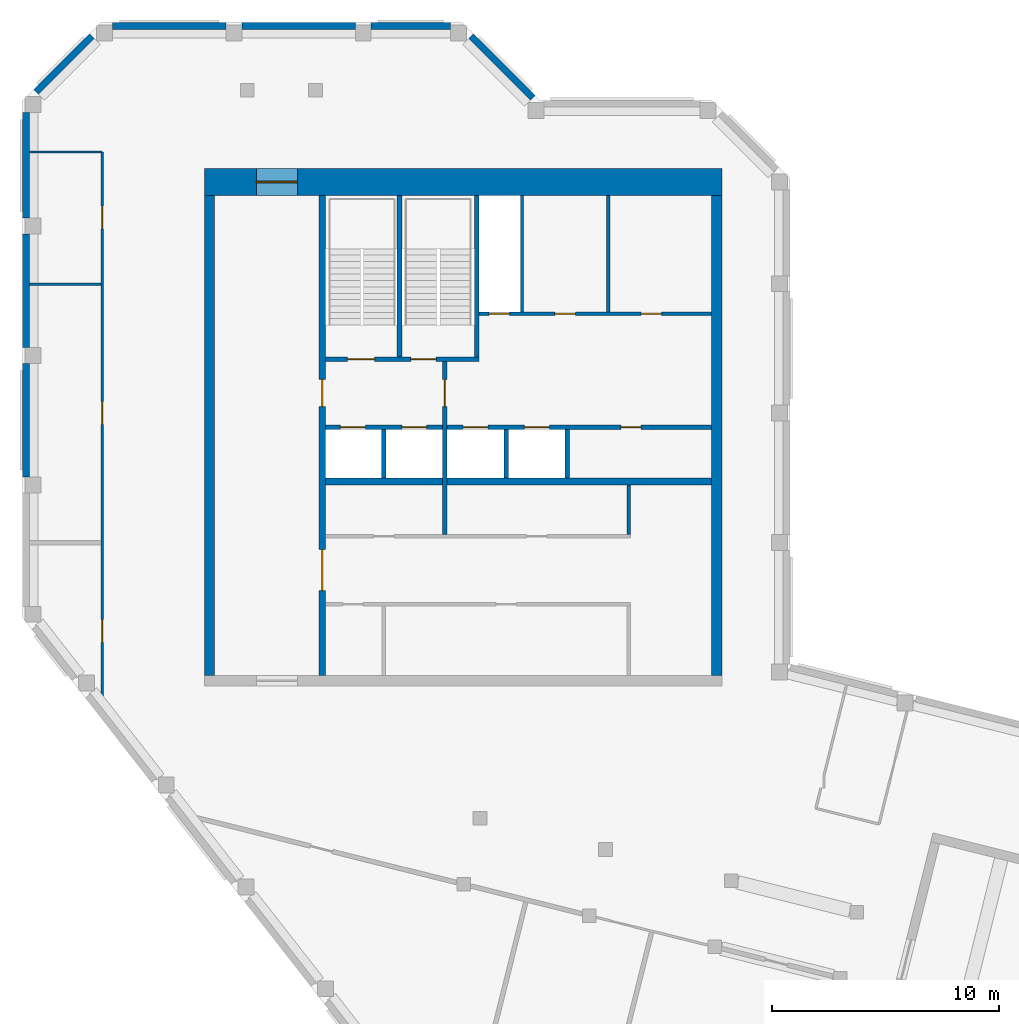
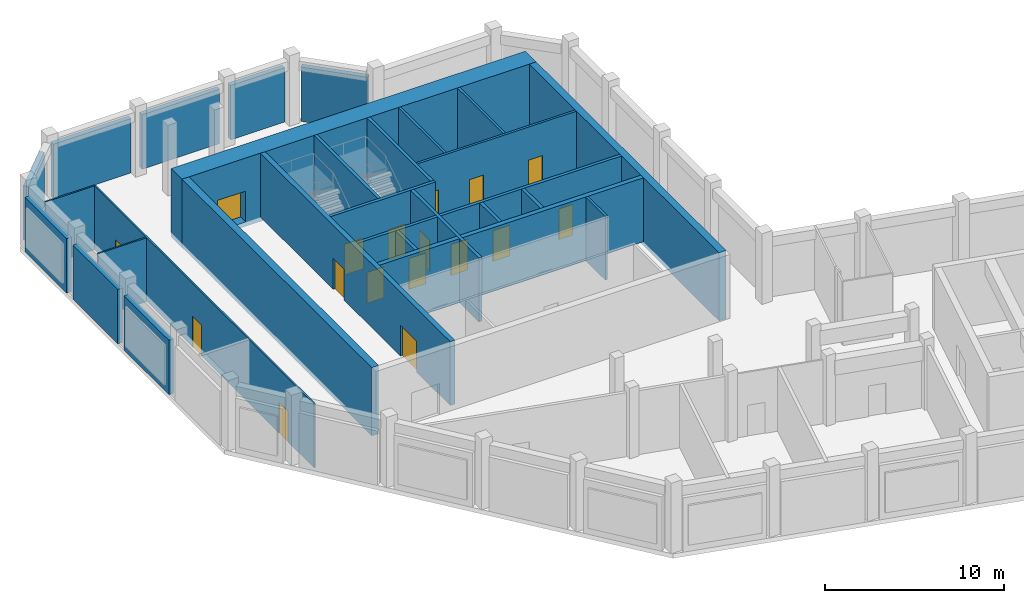
# One storey, part 3 of 5: 28 walls, 17 doors, 17 openings.
"""IFC4 building model written with IfcOpenShell, lengths in metres."""

from ifc_helpers import new_model, si_unit, direction, frame, frame_2d, origin, place, context, subcontext, project, spatial, rectangle, extrude, material, layer, layer_set, type_object, element, fill, save


model = new_model("IFC4")

# Units and contexts
model_context = context("Model", 3, precision=1e-05, world=origin(), true_north=direction((0.0, 1.0)))
body_context = subcontext(model_context, "Body", "Model", "MODEL_VIEW")
ifc_project = project(units=[si_unit("LENGTHUNIT", "METRE"), si_unit("AREAUNIT", "SQUARE_METRE"), si_unit("VOLUMEUNIT", "CUBIC_METRE"), si_unit("PLANEANGLEUNIT", "RADIAN"), si_unit("MASSUNIT", "GRAM", prefix="KILO")], contexts=[model_context])

# Site, building, storey
site_placement = place(None, origin())
site = spatial("IfcSite", under=ifc_project, at=site_placement, CompositionType="ELEMENT")
building_placement = place(site_placement, origin())
building = spatial("IfcBuilding", under=site, at=building_placement, Name="Meshkara Civic Tower", CompositionType="ELEMENT")
storey_placement = place(building_placement, frame((0.0, 0.0, 414.60009765625)))
storey = spatial("IfcBuildingStorey", under=building, at=storey_placement, Name="L95 Crown", CompositionType="ELEMENT", Elevation=414.60009765625)

# Walls
ifc_material_1 = material(Name="Insulated infill panel with bronze anodised aluminium cladding", Category="aluminium")
ifc_layer_1 = layer(ifc_material_1, 0.300048828125)
ifc_layer_set_1 = layer_set([ifc_layer_1], Name="CROWN WALL 300")
wall_type_1 = type_object("IfcWallType", Name="CROWN WALL 300", PredefinedType="SOLIDWALL", material=ifc_layer_set_1)
wall_1_placement = place(storey_placement, frame((22.47607421875, 40.011962890625, 0.0), z_axis=(0.0, 0.0, 1.0), x_axis=(-0.707106781187, 0.707106781187, 0.0)))
element("IfcWall", 1, at=wall_1_placement, inside=storey, type_object=wall_type_1, Name="Crown external wall", PredefinedType="SOLIDWALL", context=body_context, shape_type="SweptSolid", body=[
    extrude(rectangle(XDim=3.8466796875, YDim=0.300048828125, at=frame_2d((1.92333984375, 0.0))), origin(), (0.0, 0.0, 1.0), 3.699951171875),
])
wall_2_placement = place(storey_placement, frame((18.843994140625, 43.169921875, 0.0), z_axis=(0.0, 0.0, 1.0), x_axis=(-1.0, 0.0, 0.0)))
element("IfcWall", 2, at=wall_2_placement, inside=storey, type_object=wall_type_1, Name="Crown external wall", PredefinedType="SOLIDWALL", context=body_context, shape_type="SweptSolid", body=[
    extrude(rectangle(XDim=3.488037109375, YDim=0.300048828125, at=frame_2d((1.744140625, 0.0))), origin(), (0.0, 0.0, 1.0), 3.699951171875),
])
for number, where, z_axis, x_axis, name in (
    (3, (14.656005859375, 43.169921875, 0.0), (0.0, 0.0, 1.0), (-1.0, 0.0, 0.0), "Crown external wall"),
    (4, (8.9560546875, 43.169921875, 0.0), (0.0, 0.0, 1.0), (-1.0, 0.0, 0.0), "Crown external wall"),
):
    element("IfcWall", number, at=place(storey_placement, frame(where, z_axis=z_axis, x_axis=x_axis)), inside=storey, type_object=wall_type_1, Name=name, PredefinedType="SOLIDWALL", context=body_context, shape_type="SweptSolid", body=[
        extrude(rectangle(XDim=5.0, YDim=0.300048828125, at=frame_2d((2.5, 0.0))), origin(), (0.0, 0.0, 1.0), 3.699951171875),
    ])
wall_3_placement = place(storey_placement, frame((3.0439453125, 42.73193359375, 0.0), z_axis=(0.0, 0.0, 1.0), x_axis=(-0.707106781187, -0.707106781187, 0.0)))
element("IfcWall", 5, at=wall_3_placement, inside=storey, type_object=wall_type_1, Name="Crown external wall", PredefinedType="SOLIDWALL", context=body_context, shape_type="SweptSolid", body=[
    extrude(rectangle(XDim=3.473388671875, YDim=0.300048828125, at=frame_2d((1.73681640625, 0.0))), origin(), (0.0, 0.0, 1.0), 3.699951171875),
])
wall_4_placement = place(storey_placement, frame((0.14990234375, 39.364013671875, 0.0), z_axis=(0.0, 0.0, 1.0), x_axis=(0.0, -1.0, 0.0)))
element("IfcWall", 6, at=wall_4_placement, inside=storey, type_object=wall_type_1, Name="Crown external wall", PredefinedType="SOLIDWALL", context=body_context, shape_type="SweptSolid", body=[
    extrude(rectangle(XDim=4.658935546875, YDim=0.300048828125, at=frame_2d((2.32958984375, 0.0))), origin(), (0.0, 0.0, 1.0), 3.699951171875),
])
for number, where, z_axis, x_axis, name in (
    (7, (0.14990234375, 34.0048828125, 0.0), (0.0, 0.0, 1.0), (0.0, -1.0, 0.0), "Crown external wall"),
    (8, (0.14990234375, 28.304931640625, 0.0), (0.0, 0.0, 1.0), (0.0, -1.0, 0.0), "Crown external wall"),
):
    element("IfcWall", number, at=place(storey_placement, frame(where, z_axis=z_axis, x_axis=x_axis)), inside=storey, type_object=wall_type_1, Name=name, PredefinedType="SOLIDWALL", context=body_context, shape_type="SweptSolid", body=[
        extrude(rectangle(XDim=5.0, YDim=0.300048828125, at=frame_2d((2.5, 0.0))), origin(), (0.0, 0.0, 1.0), 3.699951171875),
    ])

# Wall, openings, doors
ifc_material_2 = material(Name="Blockwork", Category="masonry")
ifc_layer_2 = layer(ifc_material_2, 0.14990234375)
ifc_layer_set_2 = layer_set([ifc_layer_2], Name="Core partition 150")
wall_type_2 = type_object("IfcWallType", Name="Core partition 150", PredefinedType="PARTITIONING", material=ifc_layer_set_2)
wall_5_placement = place(storey_placement, frame((20.10009765625, 30.5, 0.0), z_axis=(0.0, 0.0, 1.0), x_axis=(1.0, 0.0, 0.0)))
wall_5 = element("IfcWall", 9, at=wall_5_placement, inside=storey, type_object=wall_type_2, Name="L95 Crown-C010", PredefinedType="PARTITIONING", context=body_context, shape_type="SweptSolid", body=[
    extrude(rectangle(XDim=10.25, YDim=0.14990234375, at=frame_2d((5.125, 0.0))), origin(), (0.0, 0.0, 1.0), 4.349853515625),
])
opening_1_placement = place(wall_5_placement, frame((0.449951171875, 0.0, 0.0)))
opening_1 = element("IfcOpeningElement", 10, at=opening_1_placement, cuts=wall_5, Name="Opening L95 Crown-K010", PredefinedType="OPENING", context=body_context, shape_type="SweptSolid", body=[
    extrude(rectangle(XDim=0.89990234375, YDim=2.10009765625, at=frame_2d((0.449951171875, 1.050048828125))), frame((0.0, 0.0849609375, 0.0), z_axis=(0.0, -1.0, 0.0), x_axis=(1.0, 0.0, 0.0)), (0.0, 0.0, 1.0), 0.169921875),
])
opening_2_placement = place(wall_5_placement, frame((3.35009765625, 0.0, 0.0)))
opening_2 = element("IfcOpeningElement", 11, at=opening_2_placement, cuts=wall_5, Name="Opening L95 Crown-K011", PredefinedType="OPENING", context=body_context, shape_type="SweptSolid", body=[
    extrude(rectangle(XDim=0.89990234375, YDim=2.10009765625, at=frame_2d((0.449951171875, 1.050048828125))), frame((0.0, 0.0849609375, 0.0), z_axis=(0.0, -1.0, 0.0), x_axis=(1.0, 0.0, 0.0)), (0.0, 0.0, 1.0), 0.169921875),
])
opening_3_placement = place(wall_5_placement, frame((7.14990234375, 0.0, 0.0)))
opening_3 = element("IfcOpeningElement", 12, at=opening_3_placement, cuts=wall_5, Name="Opening L95 Crown-K012", PredefinedType="OPENING", context=body_context, shape_type="SweptSolid", body=[
    extrude(rectangle(XDim=0.89990234375, YDim=2.10009765625, at=frame_2d((0.449951171875, 1.050048828125))), frame((0.0, 0.0849609375, 0.0), z_axis=(0.0, -1.0, 0.0), x_axis=(1.0, 0.0, 0.0)), (0.0, 0.0, 1.0), 0.169921875),
])
ifc_material_3 = material(Name="Timber door leaf in steel frame", Category="steel")
door_type_1 = type_object("IfcDoorType", Name="Core room door 900", OperationType="SINGLE_SWING_LEFT", PredefinedType="DOOR", material=ifc_material_3)
door_1_placement = place(opening_2_placement, origin())
door_1 = element("IfcDoor", 13, at=door_1_placement, inside=storey, type_object=door_type_1, Name="L95 Crown-K011", OperationType="SINGLE_SWING_RIGHT", OverallHeight=2.10009765625, OverallWidth=0.89990234375, PredefinedType="DOOR", context=body_context, shape_type="SweptSolid", body=[
    extrude(rectangle(XDim=0.89990234375, YDim=2.10009765625, at=frame_2d((0.449951171875, 1.050048828125))), frame((0.0, 0.02490234375, 0.0), z_axis=(0.0, -1.0, 0.0), x_axis=(1.0, 0.0, 0.0)), (0.0, 0.0, 1.0), 0.050048828125),
])
fill(opening_2, door_1)
ifc_material_4 = material(Name="Fire-rated door leaf in steel frame", Category="steel")
door_type_2 = type_object("IfcDoorType", Name="Riser door 900", OperationType="SINGLE_SWING_LEFT", PredefinedType="DOOR", material=ifc_material_4)
door_2_placement = place(opening_1_placement, origin())
door_2 = element("IfcDoor", 14, at=door_2_placement, inside=storey, type_object=door_type_2, Name="L95 Crown-K010", OperationType="SINGLE_SWING_RIGHT", OverallHeight=2.10009765625, OverallWidth=0.89990234375, PredefinedType="DOOR", context=body_context, shape_type="SweptSolid", body=[
    extrude(rectangle(XDim=0.89990234375, YDim=2.10009765625, at=frame_2d((0.449951171875, 1.050048828125))), frame((0.0, 0.02490234375, 0.0), z_axis=(0.0, -1.0, 0.0), x_axis=(1.0, 0.0, 0.0)), (0.0, 0.0, 1.0), 0.050048828125),
])
fill(opening_1, door_2)
ifc_material_5 = material(Name="Timber door leaf in steel frame", Category="steel")
door_type_3 = type_object("IfcDoorType", Name="WC door 900", OperationType="SINGLE_SWING_LEFT", PredefinedType="DOOR", material=ifc_material_5)
door_3_placement = place(opening_3_placement, origin())
door_3 = element("IfcDoor", 15, at=door_3_placement, inside=storey, type_object=door_type_3, Name="L95 Crown-K012", OperationType="SINGLE_SWING_LEFT", OverallHeight=2.10009765625, OverallWidth=0.89990234375, PredefinedType="DOOR", context=body_context, shape_type="SweptSolid", body=[
    extrude(rectangle(XDim=0.89990234375, YDim=2.10009765625, at=frame_2d((0.449951171875, 1.050048828125))), frame((0.0, 0.02490234375, 0.0), z_axis=(0.0, -1.0, 0.0), x_axis=(1.0, 0.0, 0.0)), (0.0, 0.0, 1.0), 0.050048828125),
])
fill(opening_3, door_3)

# Walls
for number, where, z_axis, x_axis, name in (
    (16, (22.0, 30.574951171875, 0.0), (0.0, 0.0, 1.0), (0.0, 1.0, 0.0), "L95 Crown-C018"),
    (17, (25.800048828125, 30.574951171875, 0.0), (0.0, 0.0, 1.0), (0.0, 1.0, 0.0), "L95 Crown-C020"),
):
    element("IfcWall", number, at=place(storey_placement, frame(where, z_axis=z_axis, x_axis=x_axis)), inside=storey, type_object=wall_type_2, Name=name, PredefinedType="PARTITIONING", context=body_context, shape_type="SweptSolid", body=[
        extrude(rectangle(XDim=5.125, YDim=0.14990234375, at=frame_2d((2.5625, 0.0))), origin(), (0.0, 0.0, 1.0), 4.349853515625),
    ])
wall_6_placement = place(storey_placement, frame((26.699951171875, 20.77490234375, 0.0), z_axis=(0.0, 0.0, 1.0), x_axis=(0.0, 1.0, 0.0)))
element("IfcWall", 18, at=wall_6_placement, inside=storey, type_object=wall_type_2, Name="L95 Crown-C022", PredefinedType="PARTITIONING", context=body_context, shape_type="SweptSolid", body=[
    extrude(rectangle(XDim=2.175048828125, YDim=0.14990234375, at=frame_2d((1.08740234375, 0.0))), origin(), (0.0, 0.0, 1.0), 4.349853515625),
])

# Wall, opening, door
ifc_material_6 = material(Name="Concrete C50", Category="concrete")
ifc_layer_3 = layer(ifc_material_6, 1.199951171875)
ifc_layer_set_3 = layer_set([ifc_layer_3], Name="Core ring wall 1200 C50")
wall_type_3 = type_object("IfcWallType", Name="Core ring wall 1200 C50", PredefinedType="SHEAR", material=ifc_layer_set_3)
wall_7_placement = place(storey_placement, frame((8.0, 36.300048828125, -0.300048828125), z_axis=(0.0, 0.0, 1.0), x_axis=(1.0, 0.0, 0.0)))
wall_7 = element("IfcWall", 19, at=wall_7_placement, inside=storey, type_object=wall_type_3, Name="L95 Crown-C002", PredefinedType="SHEAR", context=body_context, shape_type="SweptSolid", body=[
    extrude(rectangle(XDim=22.800048828125, YDim=1.199951171875, at=frame_2d((11.39990234375, 0.0))), origin(), (0.0, 0.0, 1.0), 4.64990234375),
])
opening_4_placement = place(wall_7_placement, frame((2.300048828125, 0.0, 0.300048828125)))
opening_4 = element("IfcOpeningElement", 20, at=opening_4_placement, cuts=wall_7, Name="Opening L95 Crown-K018", PredefinedType="OPENING", context=body_context, shape_type="SweptSolid", body=[
    extrude(rectangle(XDim=1.800048828125, YDim=2.10009765625, at=frame_2d((0.89990234375, 1.050048828125))), frame((0.0, 0.60986328125, 0.0), z_axis=(0.0, -1.0, 0.0), x_axis=(1.0, 0.0, 0.0)), (0.0, 0.0, 1.0), 1.219970703125),
])
ifc_material_7 = material(Name="Fire-rated door leaf in steel frame", Category="steel")
door_type_4 = type_object("IfcDoorType", Name="Core double door 1800 EI 60", OperationType="DOUBLE_DOOR_SINGLE_SWING", PredefinedType="DOOR", material=ifc_material_7)
door_4_placement = place(opening_4_placement, origin())
door_4 = element("IfcDoor", 21, at=door_4_placement, inside=storey, type_object=door_type_4, Name="L95 Crown-K018", OperationType="DOUBLE_DOOR_SINGLE_SWING", OverallHeight=2.10009765625, OverallWidth=1.800048828125, PredefinedType="DOOR", context=body_context, shape_type="SweptSolid", body=[
    extrude(rectangle(XDim=1.800048828125, YDim=2.10009765625, at=frame_2d((0.89990234375, 1.050048828125))), frame((0.0, 0.02490234375, 0.0), z_axis=(0.0, -1.0, 0.0), x_axis=(1.0, 0.0, 0.0)), (0.0, 0.0, 1.0), 0.050048828125),
])
fill(opening_4, door_4)

# Walls
ifc_material_8 = material(Name="Concrete C50", Category="concrete")
ifc_layer_4 = layer(ifc_material_8, 0.449951171875)
ifc_layer_set_4 = layer_set([ifc_layer_4], Name="Core ring wall 450 C50")
wall_type_4 = type_object("IfcWallType", Name="Core ring wall 450 C50", PredefinedType="SHEAR", material=ifc_layer_set_4)
for number, where, z_axis, x_axis, name in (
    (22, (8.22509765625, 14.550048828125, -0.300048828125), (0.0, 0.0, 1.0), (0.0, 1.0, 0.0), "L95 Crown-C003"),
    (23, (30.574951171875, 14.550048828125, -0.300048828125), (0.0, 0.0, 1.0), (0.0, 1.0, 0.0), "L95 Crown-C004"),
):
    element("IfcWall", number, at=place(storey_placement, frame(where, z_axis=z_axis, x_axis=x_axis)), inside=storey, type_object=wall_type_4, Name=name, PredefinedType="SHEAR", context=body_context, shape_type="SweptSolid", body=[
        extrude(rectangle(XDim=21.14990234375, YDim=0.449951171875, at=frame_2d((10.574951171875, 0.0))), origin(), (0.0, 0.0, 1.0), 4.64990234375),
    ])
ifc_material_9 = material(Name="Concrete C50", Category="concrete")
ifc_layer_5 = layer(ifc_material_9, 0.300048828125)
ifc_layer_set_5 = layer_set([ifc_layer_5], Name="Core shear wall 300 C50")
wall_type_5 = type_object("IfcWallType", Name="Core shear wall 300 C50", PredefinedType="SHEAR", material=ifc_layer_set_5)
wall_8_placement = place(storey_placement, frame((13.35009765625, 23.10009765625, 0.0), z_axis=(0.0, 0.0, 1.0), x_axis=(1.0, 0.0, 0.0)))
element("IfcWall", 24, at=wall_8_placement, inside=storey, type_object=wall_type_5, Name="L95 Crown-C007", PredefinedType="SHEAR", context=body_context, shape_type="SweptSolid", body=[
    extrude(rectangle(XDim=17.0, YDim=0.300048828125, at=frame_2d((8.5, 0.0))), origin(), (0.0, 0.0, 1.0), 4.349853515625),
])

# Wall, openings, doors
wall_9_placement = place(storey_placement, frame((13.199951171875, 14.550048828125, 0.0), z_axis=(0.0, 0.0, 1.0), x_axis=(0.0, 1.0, 0.0)))
wall_9 = element("IfcWall", 25, at=wall_9_placement, inside=storey, type_object=wall_type_5, Name="L95 Crown-C011", PredefinedType="SHEAR", context=body_context, shape_type="SweptSolid", body=[
    extrude(rectangle(XDim=21.14990234375, YDim=0.300048828125, at=frame_2d((10.574951171875, 0.0))), origin(), (0.0, 0.0, 1.0), 4.349853515625),
])
opening_5_placement = place(wall_9_placement, frame((3.75, 0.0, 0.0)))
opening_5 = element("IfcOpeningElement", 26, at=opening_5_placement, cuts=wall_9, Name="Opening L95 Crown-K015", PredefinedType="OPENING", context=body_context, shape_type="SweptSolid", body=[
    extrude(rectangle(XDim=1.800048828125, YDim=2.10009765625, at=frame_2d((0.89990234375, 1.050048828125))), frame((0.0, 0.159912109375, 0.0), z_axis=(0.0, -1.0, 0.0), x_axis=(1.0, 0.0, 0.0)), (0.0, 0.0, 1.0), 0.320068359375),
])
opening_6_placement = place(wall_9_placement, frame((11.85009765625, 0.0, 0.0)))
opening_6 = element("IfcOpeningElement", 27, at=opening_6_placement, cuts=wall_9, Name="Opening L95 Crown-K016", PredefinedType="OPENING", context=body_context, shape_type="SweptSolid", body=[
    extrude(rectangle(XDim=1.199951171875, YDim=2.10009765625, at=frame_2d((0.60009765625, 1.050048828125))), frame((0.0, 0.159912109375, 0.0), z_axis=(0.0, -1.0, 0.0), x_axis=(1.0, 0.0, 0.0)), (0.0, 0.0, 1.0), 0.320068359375),
])
door_5_placement = place(opening_5_placement, origin())
door_5 = element("IfcDoor", 28, at=door_5_placement, inside=storey, type_object=door_type_4, Name="L95 Crown-K015", OperationType="DOUBLE_DOOR_SINGLE_SWING", OverallHeight=2.10009765625, OverallWidth=1.800048828125, PredefinedType="DOOR", context=body_context, shape_type="SweptSolid", body=[
    extrude(rectangle(XDim=1.800048828125, YDim=2.10009765625, at=frame_2d((0.89990234375, 1.050048828125))), frame((0.0, 0.02490234375, 0.0), z_axis=(0.0, -1.0, 0.0), x_axis=(1.0, 0.0, 0.0)), (0.0, 0.0, 1.0), 0.050048828125),
])
fill(opening_5, door_5)
ifc_material_10 = material(Name="Fire-rated door leaf in steel frame", Category="steel")
door_type_5 = type_object("IfcDoorType", Name="Fire-fighting lobby door 1200 EI 120", OperationType="SINGLE_SWING_LEFT", PredefinedType="DOOR", material=ifc_material_10)
door_6_placement = place(opening_6_placement, origin())
door_6 = element("IfcDoor", 29, at=door_6_placement, inside=storey, type_object=door_type_5, Name="L95 Crown-K016", OperationType="SINGLE_SWING_LEFT", OverallHeight=2.10009765625, OverallWidth=1.199951171875, PredefinedType="DOOR", context=body_context, shape_type="SweptSolid", body=[
    extrude(rectangle(XDim=1.199951171875, YDim=2.10009765625, at=frame_2d((0.60009765625, 1.050048828125))), frame((0.0, 0.02490234375, 0.0), z_axis=(0.0, -1.0, 0.0), x_axis=(1.0, 0.0, 0.0)), (0.0, 0.0, 1.0), 0.050048828125),
])
fill(opening_6, door_6)

# Wall
ifc_material_11 = material(Name="Corridor wall 100")
ifc_layer_6 = layer(ifc_material_11, 0.10009765625)
ifc_layer_set_6 = layer_set([ifc_layer_6], Name="Corridor wall 100")
wall_type_6 = type_object("IfcWallType", Name="Corridor wall 100", PredefinedType="PARTITIONING", material=ifc_layer_set_6)
wall_10_placement = place(storey_placement, frame((0.300048828125, 37.6201171875, 0.0), z_axis=(0.0, 0.0, 1.0), x_axis=(1.0, 0.0, 0.0)))
element("IfcWall", 30, at=wall_10_placement, inside=storey, type_object=wall_type_6, Name="L95 Crown-R001", PredefinedType="PARTITIONING", context=body_context, shape_type="SweptSolid", body=[
    extrude(rectangle(XDim=3.199951171875, YDim=0.10009765625, at=frame_2d((1.60009765625, 0.0))), origin(), (0.0, 0.0, 1.0), 4.349853515625),
])

# Wall, openings, doors
wall_11_placement = place(storey_placement, frame((3.5, 37.6201171875, 0.0), z_axis=(0.0, 0.0, 1.0), x_axis=(0.0, -1.0, 0.0)))
wall_11 = element("IfcWall", 31, at=wall_11_placement, inside=storey, type_object=wall_type_6, Name="L95 Crown-R002", PredefinedType="PARTITIONING", context=body_context, shape_type="SweptSolid", body=[
    extrude(rectangle(XDim=24.51318359375, YDim=0.10009765625, at=frame_2d((12.256591796875, 0.0))), origin(), (0.0, 0.0, 1.0), 4.349853515625),
])
opening_7_placement = place(wall_11_placement, frame((20.60009765625, 0.0, 0.0)))
opening_7 = element("IfcOpeningElement", 32, at=opening_7_placement, cuts=wall_11, Name="Opening L95 Crown-P005", PredefinedType="OPENING", context=body_context, shape_type="SweptSolid", body=[
    extrude(rectangle(XDim=1.0, YDim=2.10009765625, at=frame_2d((0.5, 1.050048828125))), frame((0.0, 0.06005859375, 0.0), z_axis=(0.0, -1.0, 0.0), x_axis=(1.0, 0.0, 0.0)), (0.0, 0.0, 1.0), 0.1201171875),
])
opening_8_placement = place(wall_11_placement, frame((11.0, 0.0, 0.0)))
opening_8 = element("IfcOpeningElement", 33, at=opening_8_placement, cuts=wall_11, Name="Opening L95 Crown-P006", PredefinedType="OPENING", context=body_context, shape_type="SweptSolid", body=[
    extrude(rectangle(XDim=1.0, YDim=2.10009765625, at=frame_2d((0.5, 1.050048828125))), frame((0.0, 0.06005859375, 0.0), z_axis=(0.0, -1.0, 0.0), x_axis=(1.0, 0.0, 0.0)), (0.0, 0.0, 1.0), 0.1201171875),
])
opening_9_placement = place(wall_11_placement, frame((2.3798828125, 0.0, 0.0)))
opening_9 = element("IfcOpeningElement", 34, at=opening_9_placement, cuts=wall_11, Name="Opening L95 Crown-P007", PredefinedType="OPENING", context=body_context, shape_type="SweptSolid", body=[
    extrude(rectangle(XDim=1.0, YDim=2.10009765625, at=frame_2d((0.5, 1.050048828125))), frame((0.0, 0.06005859375, 0.0), z_axis=(0.0, -1.0, 0.0), x_axis=(1.0, 0.0, 0.0)), (0.0, 0.0, 1.0), 0.1201171875),
])
ifc_material_12 = material(Name="Door 1000 x 2100")
door_type_6 = type_object("IfcDoorType", Name="Door 1000 x 2100", OperationType="SINGLE_SWING_LEFT", PredefinedType="DOOR", material=ifc_material_12)
door_7_placement = place(opening_7_placement, origin())
door_7 = element("IfcDoor", 35, at=door_7_placement, inside=storey, type_object=door_type_6, Name="L95 Crown-P005", OperationType="SINGLE_SWING_LEFT", OverallHeight=2.10009765625, OverallWidth=1.0, PredefinedType="DOOR", context=body_context, shape_type="SweptSolid", body=[
    extrude(rectangle(XDim=1.0, YDim=2.10009765625, at=frame_2d((0.5, 1.050048828125))), frame((0.0, 0.02490234375, 0.0), z_axis=(0.0, -1.0, 0.0), x_axis=(1.0, 0.0, 0.0)), (0.0, 0.0, 1.0), 0.050048828125),
])
fill(opening_7, door_7)
door_8_placement = place(opening_8_placement, origin())
door_8 = element("IfcDoor", 36, at=door_8_placement, inside=storey, type_object=door_type_6, Name="L95 Crown-P006", OperationType="SINGLE_SWING_LEFT", OverallHeight=2.10009765625, OverallWidth=1.0, PredefinedType="DOOR", context=body_context, shape_type="SweptSolid", body=[
    extrude(rectangle(XDim=1.0, YDim=2.10009765625, at=frame_2d((0.5, 1.050048828125))), frame((0.0, 0.02490234375, 0.0), z_axis=(0.0, -1.0, 0.0), x_axis=(1.0, 0.0, 0.0)), (0.0, 0.0, 1.0), 0.050048828125),
])
fill(opening_8, door_8)
door_9_placement = place(opening_9_placement, origin())
door_9 = element("IfcDoor", 37, at=door_9_placement, inside=storey, type_object=door_type_6, Name="L95 Crown-P007", OperationType="SINGLE_SWING_LEFT", OverallHeight=2.10009765625, OverallWidth=1.0, PredefinedType="DOOR", context=body_context, shape_type="SweptSolid", body=[
    extrude(rectangle(XDim=1.0, YDim=2.10009765625, at=frame_2d((0.5, 1.050048828125))), frame((0.0, 0.02490234375, 0.0), z_axis=(0.0, -1.0, 0.0), x_axis=(1.0, 0.0, 0.0)), (0.0, 0.0, 1.0), 0.050048828125),
])
fill(opening_9, door_9)

# Wall
ifc_material_13 = material(Name="Partition 100")
ifc_layer_7 = layer(ifc_material_13, 0.10009765625)
ifc_layer_set_7 = layer_set([ifc_layer_7], Name="Partition 100")
wall_type_7 = type_object("IfcWallType", Name="Partition 100", PredefinedType="PARTITIONING", material=ifc_layer_set_7)
wall_12_placement = place(storey_placement, frame((3.449951171875, 31.800048828125, 0.0), z_axis=(0.0, 0.0, 1.0), x_axis=(-1.0, 0.0, 0.0)))
element("IfcWall", 38, at=wall_12_placement, inside=storey, type_object=wall_type_7, Name="L95 Crown-R014", PredefinedType="PARTITIONING", context=body_context, shape_type="SweptSolid", body=[
    extrude(rectangle(XDim=3.14990234375, YDim=0.10009765625, at=frame_2d((1.574951171875, 0.0))), origin(), (0.0, 0.0, 1.0), 4.349853515625),
])

# Wall, openings, doors
ifc_material_14 = material(Name="Concrete C40/50", Category="concrete")
ifc_layer_8 = layer(ifc_material_14, 0.199951171875)
ifc_layer_set_8 = layer_set([ifc_layer_8], Name="Shaft wall 200 C40/50")
wall_type_8 = type_object("IfcWallType", Name="Shaft wall 200 C40/50", PredefinedType="SOLIDWALL", material=ifc_layer_set_8)
wall_13_placement = place(storey_placement, frame((13.35009765625, 25.5, 0.0), z_axis=(0.0, 0.0, 1.0), x_axis=(1.0, 0.0, 0.0)))
wall_13 = element("IfcWall", 39, at=wall_13_placement, inside=storey, type_object=wall_type_8, Name="L95 Crown-C008", PredefinedType="SOLIDWALL", context=body_context, shape_type="SweptSolid", body=[
    extrude(rectangle(XDim=17.0, YDim=0.199951171875, at=frame_2d((8.5, 0.0))), origin(), (0.0, 0.0, 1.0), 4.349853515625),
])
opening_10_placement = place(wall_13_placement, frame((0.64990234375, 0.0, 0.0)))
opening_10 = element("IfcOpeningElement", 40, at=opening_10_placement, cuts=wall_13, Name="Opening L95 Crown-K001", PredefinedType="OPENING", context=body_context, shape_type="SweptSolid", body=[
    extrude(rectangle(XDim=1.10009765625, YDim=2.10009765625, at=frame_2d((0.550048828125, 1.050048828125))), frame((0.0, 0.10986328125, 0.0), z_axis=(0.0, -1.0, 0.0), x_axis=(1.0, 0.0, 0.0)), (0.0, 0.0, 1.0), 0.219970703125),
])
opening_11_placement = place(wall_13_placement, frame((3.35009765625, 0.0, 0.0)))
opening_11 = element("IfcOpeningElement", 41, at=opening_11_placement, cuts=wall_13, Name="Opening L95 Crown-K002", PredefinedType="OPENING", context=body_context, shape_type="SweptSolid", body=[
    extrude(rectangle(XDim=1.10009765625, YDim=2.10009765625, at=frame_2d((0.550048828125, 1.050048828125))), frame((0.0, 0.10986328125, 0.0), z_axis=(0.0, -1.0, 0.0), x_axis=(1.0, 0.0, 0.0)), (0.0, 0.0, 1.0), 0.219970703125),
])
opening_12_placement = place(wall_13_placement, frame((6.050048828125, 0.0, 0.0)))
opening_12 = element("IfcOpeningElement", 42, at=opening_12_placement, cuts=wall_13, Name="Opening L95 Crown-K003", PredefinedType="OPENING", context=body_context, shape_type="SweptSolid", body=[
    extrude(rectangle(XDim=1.10009765625, YDim=2.10009765625, at=frame_2d((0.550048828125, 1.050048828125))), frame((0.0, 0.10986328125, 0.0), z_axis=(0.0, -1.0, 0.0), x_axis=(1.0, 0.0, 0.0)), (0.0, 0.0, 1.0), 0.219970703125),
])
opening_13_placement = place(wall_13_placement, frame((8.75, 0.0, 0.0)))
opening_13 = element("IfcOpeningElement", 43, at=opening_13_placement, cuts=wall_13, Name="Opening L95 Crown-K004", PredefinedType="OPENING", context=body_context, shape_type="SweptSolid", body=[
    extrude(rectangle(XDim=1.10009765625, YDim=2.10009765625, at=frame_2d((0.550048828125, 1.050048828125))), frame((0.0, 0.10986328125, 0.0), z_axis=(0.0, -1.0, 0.0), x_axis=(1.0, 0.0, 0.0)), (0.0, 0.0, 1.0), 0.219970703125),
])
opening_14_placement = place(wall_13_placement, frame((13.0, 0.0, 0.0)))
opening_14 = element("IfcOpeningElement", 44, at=opening_14_placement, cuts=wall_13, Name="Opening L95 Crown-K009", PredefinedType="OPENING", context=body_context, shape_type="SweptSolid", body=[
    extrude(rectangle(XDim=0.89990234375, YDim=2.10009765625, at=frame_2d((0.449951171875, 1.050048828125))), frame((0.0, 0.10986328125, 0.0), z_axis=(0.0, -1.0, 0.0), x_axis=(1.0, 0.0, 0.0)), (0.0, 0.0, 1.0), 0.219970703125),
])
door_10_placement = place(opening_14_placement, origin())
door_10 = element("IfcDoor", 45, at=door_10_placement, inside=storey, type_object=door_type_1, Name="L95 Crown-K009", OperationType="SINGLE_SWING_LEFT", OverallHeight=2.10009765625, OverallWidth=0.89990234375, PredefinedType="DOOR", context=body_context, shape_type="SweptSolid", body=[
    extrude(rectangle(XDim=0.89990234375, YDim=2.10009765625, at=frame_2d((0.449951171875, 1.050048828125))), frame((0.0, 0.02490234375, 0.0), z_axis=(0.0, -1.0, 0.0), x_axis=(1.0, 0.0, 0.0)), (0.0, 0.0, 1.0), 0.050048828125),
])
fill(opening_14, door_10)
ifc_material_15 = material(Name="Stainless steel landing door", Category="steel")
door_type_7 = type_object("IfcDoorType", Name="Lift landing door 1100", OperationType="SLIDING_TO_LEFT", PredefinedType="DOOR", material=ifc_material_15)
door_11_placement = place(opening_10_placement, origin())
door_11 = element("IfcDoor", 46, at=door_11_placement, inside=storey, type_object=door_type_7, Name="L95 Crown-K001", OperationType="SLIDING_TO_LEFT", OverallHeight=2.10009765625, OverallWidth=1.10009765625, PredefinedType="DOOR", context=body_context, shape_type="SweptSolid", body=[
    extrude(rectangle(XDim=1.10009765625, YDim=2.10009765625, at=frame_2d((0.550048828125, 1.050048828125))), frame((0.0, 0.02490234375, 0.0), z_axis=(0.0, -1.0, 0.0), x_axis=(1.0, 0.0, 0.0)), (0.0, 0.0, 1.0), 0.050048828125),
])
fill(opening_10, door_11)
door_12_placement = place(opening_11_placement, origin())
door_12 = element("IfcDoor", 47, at=door_12_placement, inside=storey, type_object=door_type_7, Name="L95 Crown-K002", OperationType="SLIDING_TO_LEFT", OverallHeight=2.10009765625, OverallWidth=1.10009765625, PredefinedType="DOOR", context=body_context, shape_type="SweptSolid", body=[
    extrude(rectangle(XDim=1.10009765625, YDim=2.10009765625, at=frame_2d((0.550048828125, 1.050048828125))), frame((0.0, 0.02490234375, 0.0), z_axis=(0.0, -1.0, 0.0), x_axis=(1.0, 0.0, 0.0)), (0.0, 0.0, 1.0), 0.050048828125),
])
fill(opening_11, door_12)
door_13_placement = place(opening_12_placement, origin())
door_13 = element("IfcDoor", 48, at=door_13_placement, inside=storey, type_object=door_type_7, Name="L95 Crown-K003", OperationType="SLIDING_TO_LEFT", OverallHeight=2.10009765625, OverallWidth=1.10009765625, PredefinedType="DOOR", context=body_context, shape_type="SweptSolid", body=[
    extrude(rectangle(XDim=1.10009765625, YDim=2.10009765625, at=frame_2d((0.550048828125, 1.050048828125))), frame((0.0, 0.02490234375, 0.0), z_axis=(0.0, -1.0, 0.0), x_axis=(1.0, 0.0, 0.0)), (0.0, 0.0, 1.0), 0.050048828125),
])
fill(opening_12, door_13)
door_14_placement = place(opening_13_placement, origin())
door_14 = element("IfcDoor", 49, at=door_14_placement, inside=storey, type_object=door_type_7, Name="L95 Crown-K004", OperationType="SLIDING_TO_LEFT", OverallHeight=2.10009765625, OverallWidth=1.10009765625, PredefinedType="DOOR", context=body_context, shape_type="SweptSolid", body=[
    extrude(rectangle(XDim=1.10009765625, YDim=2.10009765625, at=frame_2d((0.550048828125, 1.050048828125))), frame((0.0, 0.02490234375, 0.0), z_axis=(0.0, -1.0, 0.0), x_axis=(1.0, 0.0, 0.0)), (0.0, 0.0, 1.0), 0.050048828125),
])
fill(opening_13, door_14)

# Wall
wall_14_placement = place(storey_placement, frame((15.89990234375, 23.25, 0.0), z_axis=(0.0, 0.0, 1.0), x_axis=(0.0, 1.0, 0.0)))
element("IfcWall", 50, at=wall_14_placement, inside=storey, type_object=wall_type_8, Name="L95 Crown-C013", PredefinedType="SOLIDWALL", context=body_context, shape_type="SweptSolid", body=[
    extrude(rectangle(XDim=2.14990234375, YDim=0.199951171875, at=frame_2d((1.074951171875, 0.0))), origin(), (0.0, 0.0, 1.0), 4.349853515625),
])

# Wall, opening, door
wall_15_placement = place(storey_placement, frame((18.60009765625, 20.77490234375, 0.0), z_axis=(0.0, 0.0, 1.0), x_axis=(0.0, 1.0, 0.0)))
wall_15 = element("IfcWall", 51, at=wall_15_placement, inside=storey, type_object=wall_type_8, Name="L95 Crown-C015", PredefinedType="SOLIDWALL", context=body_context, shape_type="SweptSolid", body=[
    extrude(rectangle(XDim=7.625, YDim=0.199951171875, at=frame_2d((3.8125, 0.0))), origin(), (0.0, 0.0, 1.0), 4.349853515625),
])
opening_15_placement = place(wall_15_placement, frame((5.625, 0.0, 0.0)))
opening_15 = element("IfcOpeningElement", 52, at=opening_15_placement, cuts=wall_15, Name="Opening L95 Crown-K017", PredefinedType="OPENING", context=body_context, shape_type="SweptSolid", body=[
    extrude(rectangle(XDim=1.199951171875, YDim=2.10009765625, at=frame_2d((0.60009765625, 1.050048828125))), frame((0.0, 0.10986328125, 0.0), z_axis=(0.0, -1.0, 0.0), x_axis=(1.0, 0.0, 0.0)), (0.0, 0.0, 1.0), 0.219970703125),
])
door_15_placement = place(opening_15_placement, origin())
door_15 = element("IfcDoor", 53, at=door_15_placement, inside=storey, type_object=door_type_5, Name="L95 Crown-K017", OperationType="SINGLE_SWING_RIGHT", OverallHeight=2.10009765625, OverallWidth=1.199951171875, PredefinedType="DOOR", context=body_context, shape_type="SweptSolid", body=[
    extrude(rectangle(XDim=1.199951171875, YDim=2.10009765625, at=frame_2d((0.60009765625, 1.050048828125))), frame((0.0, 0.02490234375, 0.0), z_axis=(0.0, -1.0, 0.0), x_axis=(1.0, 0.0, 0.0)), (0.0, 0.0, 1.0), 0.050048828125),
])
fill(opening_15, door_15)

# Walls
for number, where, z_axis, x_axis, name in (
    (54, (21.300048828125, 23.25, 0.0), (0.0, 0.0, 1.0), (0.0, 1.0, 0.0), "L95 Crown-C017"),
    (55, (24.0, 23.25, 0.0), (0.0, 0.0, 1.0), (0.0, 1.0, 0.0), "L95 Crown-C019"),
):
    element("IfcWall", number, at=place(storey_placement, frame(where, z_axis=z_axis, x_axis=x_axis)), inside=storey, type_object=wall_type_8, Name=name, PredefinedType="SOLIDWALL", context=body_context, shape_type="SweptSolid", body=[
        extrude(rectangle(XDim=2.14990234375, YDim=0.199951171875, at=frame_2d((1.074951171875, 0.0))), origin(), (0.0, 0.0, 1.0), 4.349853515625),
    ])

# Wall, openings, doors
ifc_material_16 = material(Name="Concrete C40/50", Category="concrete")
ifc_layer_9 = layer(ifc_material_16, 0.199951171875)
ifc_layer_set_9 = layer_set([ifc_layer_9], Name="Stair enclosure wall 200 C40/50")
wall_type_9 = type_object("IfcWallType", Name="Stair enclosure wall 200 C40/50", PredefinedType="SOLIDWALL", material=ifc_layer_set_9)
wall_16_placement = place(storey_placement, frame((13.35009765625, 28.5, 0.0), z_axis=(0.0, 0.0, 1.0), x_axis=(1.0, 0.0, 0.0)))
wall_16 = element("IfcWall", 56, at=wall_16_placement, inside=storey, type_object=wall_type_9, Name="L95 Crown-C009", PredefinedType="SOLIDWALL", context=body_context, shape_type="SweptSolid", body=[
    extrude(rectangle(XDim=6.75, YDim=0.199951171875, at=frame_2d((3.375, 0.0))), origin(), (0.0, 0.0, 1.0), 4.349853515625),
])
opening_16_placement = place(wall_16_placement, frame((0.949951171875, 0.0, 0.0)))
opening_16 = element("IfcOpeningElement", 57, at=opening_16_placement, cuts=wall_16, Name="Opening L95 Crown-K013", PredefinedType="OPENING", context=body_context, shape_type="SweptSolid", body=[
    extrude(rectangle(XDim=1.199951171875, YDim=2.10009765625, at=frame_2d((0.60009765625, 1.050048828125))), frame((0.0, 0.10986328125, 0.0), z_axis=(0.0, -1.0, 0.0), x_axis=(1.0, 0.0, 0.0)), (0.0, 0.0, 1.0), 0.219970703125),
])
opening_17_placement = place(wall_16_placement, frame((3.75, 0.0, 0.0)))
opening_17 = element("IfcOpeningElement", 58, at=opening_17_placement, cuts=wall_16, Name="Opening L95 Crown-K014", PredefinedType="OPENING", context=body_context, shape_type="SweptSolid", body=[
    extrude(rectangle(XDim=1.10009765625, YDim=2.10009765625, at=frame_2d((0.550048828125, 1.050048828125))), frame((0.0, 0.10986328125, 0.0), z_axis=(0.0, -1.0, 0.0), x_axis=(1.0, 0.0, 0.0)), (0.0, 0.0, 1.0), 0.219970703125),
])
ifc_material_17 = material(Name="Fire-rated door leaf in steel frame", Category="steel")
door_type_8 = type_object("IfcDoorType", Name="Stair door 1100 EI 120", OperationType="SINGLE_SWING_LEFT", PredefinedType="DOOR", material=ifc_material_17)
door_16_placement = place(opening_17_placement, origin())
door_16 = element("IfcDoor", 59, at=door_16_placement, inside=storey, type_object=door_type_8, Name="L95 Crown-K014", OperationType="SINGLE_SWING_LEFT", OverallHeight=2.10009765625, OverallWidth=1.10009765625, PredefinedType="DOOR", context=body_context, shape_type="SweptSolid", body=[
    extrude(rectangle(XDim=1.10009765625, YDim=2.10009765625, at=frame_2d((0.550048828125, 1.050048828125))), frame((0.0, 0.02490234375, 0.0), z_axis=(0.0, -1.0, 0.0), x_axis=(1.0, 0.0, 0.0)), (0.0, 0.0, 1.0), 0.050048828125),
])
fill(opening_17, door_16)
ifc_material_18 = material(Name="Fire-rated door leaf in steel frame", Category="steel")
door_type_9 = type_object("IfcDoorType", Name="Stair door 1200 EI 120", OperationType="SINGLE_SWING_LEFT", PredefinedType="DOOR", material=ifc_material_18)
door_17_placement = place(opening_16_placement, origin())
door_17 = element("IfcDoor", 60, at=door_17_placement, inside=storey, type_object=door_type_9, Name="L95 Crown-K013", OperationType="SINGLE_SWING_RIGHT", OverallHeight=2.10009765625, OverallWidth=1.199951171875, PredefinedType="DOOR", context=body_context, shape_type="SweptSolid", body=[
    extrude(rectangle(XDim=1.199951171875, YDim=2.10009765625, at=frame_2d((0.60009765625, 1.050048828125))), frame((0.0, 0.02490234375, 0.0), z_axis=(0.0, -1.0, 0.0), x_axis=(1.0, 0.0, 0.0)), (0.0, 0.0, 1.0), 0.050048828125),
])
fill(opening_16, door_17)

# Walls
for number, where, z_axis, x_axis, name in (
    (61, (16.60009765625, 28.60009765625, 0.0), (0.0, 0.0, 1.0), (0.0, 1.0, 0.0), "L95 Crown-C014"),
    (62, (20.0, 28.60009765625, 0.0), (0.0, 0.0, 1.0), (0.0, 1.0, 0.0), "L95 Crown-C016"),
):
    element("IfcWall", number, at=place(storey_placement, frame(where, z_axis=z_axis, x_axis=x_axis)), inside=storey, type_object=wall_type_9, Name=name, PredefinedType="SOLIDWALL", context=body_context, shape_type="SweptSolid", body=[
        extrude(rectangle(XDim=7.099853515625, YDim=0.199951171875, at=frame_2d((3.5498046875, 0.0))), origin(), (0.0, 0.0, 1.0), 4.349853515625),
    ])

save(model, "model.ifc")
